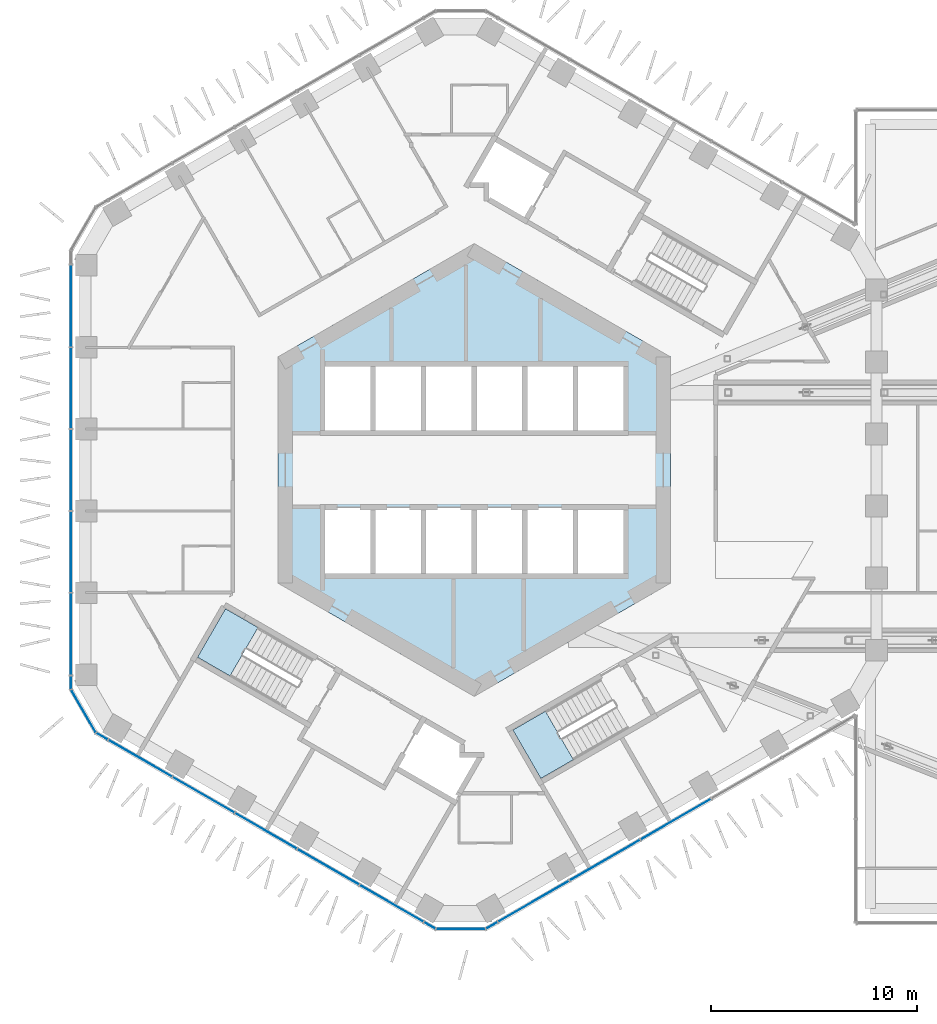
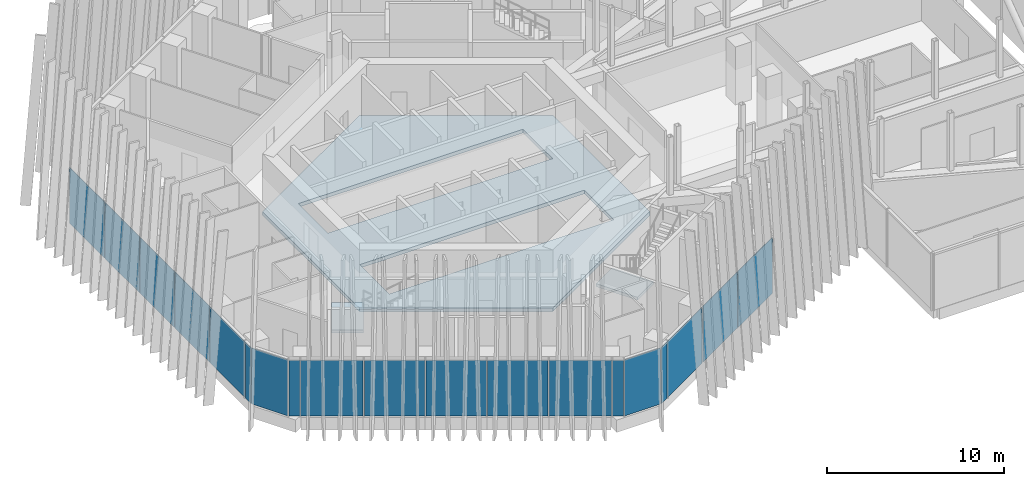
# One storey, part 13 of 28: 19 plates, 3 slabs, 7 elements without a shape of their own.
"""IFC4 building model written with IfcOpenShell, lengths in metres."""

from ifc_helpers import new_model, si_unit, direction, frame, origin, origin_2d, place, context, subcontext, project, spatial, polyline, rectangle, outline, extrude, material, layer, layer_set, type_object, element, aggregate, save


model = new_model("IFC4")

# Units and contexts
model_context = context("Model", 3, precision=1e-05, world=origin(), true_north=direction((0.0, 1.0)))
body_context = subcontext(model_context, "Body", "Model", "MODEL_VIEW")
ifc_project = project(units=[si_unit("LENGTHUNIT", "METRE"), si_unit("AREAUNIT", "SQUARE_METRE"), si_unit("VOLUMEUNIT", "CUBIC_METRE"), si_unit("PLANEANGLEUNIT", "RADIAN"), si_unit("MASSUNIT", "GRAM", prefix="KILO")], contexts=[model_context])

# Site, building, storey
site_placement = place(None, origin())
site = spatial("IfcSite", under=ifc_project, at=site_placement, CompositionType="ELEMENT")
building_placement = place(site_placement, origin())
building = spatial("IfcBuilding", under=site, at=building_placement, Name="Ayvan Gate Tower", CompositionType="ELEMENT")
storey_placement = place(building_placement, frame((0.0, 0.0, 120.5)))
storey = spatial("IfcBuildingStorey", under=building, at=storey_placement, Name="L32", CompositionType="ELEMENT", Elevation=120.5)

# Slab
ifc_material_1 = material(Name="Concrete C40/50", Category="concrete")
ifc_layer_1 = layer(ifc_material_1, 0.25)
ifc_layer_set_1 = layer_set([ifc_layer_1], Name="Concrete C40/50")
slab_type_1 = type_object("IfcSlabType", Name="SL-CORE-250", PredefinedType="FLOOR", material=ifc_layer_set_1)
slab_1_placement = place(storey_placement, frame((0.0, 0.0, -0.25)))
element("IfcSlab", 1, at=slab_1_placement, inside=storey, type_object=slab_type_1, Name="CS-L32", PredefinedType="FLOOR", context=body_context, shape_type="SweptSolid", body=[
    extrude(outline(polyline([(9.5, -5.48486328125), (0.0, -10.9697265625), (-9.5, -5.48486328125), (-9.5, 5.48486328125), (0.0, 10.9697265625), (9.5, 5.48486328125), (9.5, -5.48486328125)]), holes=[polyline([(-7.35009765625, -1.800048828125), (-7.35009765625, -5.14990234375), (7.35009765625, -5.14990234375), (7.35009765625, -1.800048828125), (-7.35009765625, -1.800048828125)]), polyline([(-7.35009765625, 5.14990234375), (-7.35009765625, 1.800048828125), (7.35009765625, 1.800048828125), (7.35009765625, 5.14990234375), (-7.35009765625, 5.14990234375)])]), origin(), (0.0, 0.0, 1.0), 0.25),
])

# Stair, slab
stair_type = type_object("IfcStairType", Name="ST-EXIT", PredefinedType="HALF_TURN_STAIR", material=ifc_material_1)
stair_1_placement = place(storey_placement, origin())
stair_1 = element("IfcStair", 2, at=stair_1_placement, inside=storey, type_object=stair_type, Name="L32 Exit Stair S2", PredefinedType="HALF_TURN_STAIR")
ifc_layer_2 = layer(ifc_material_1, 0.199951171875)
ifc_layer_set_2 = layer_set([ifc_layer_2], Name="Concrete C40/50")
slab_type_2 = type_object("IfcSlabType", Name="SL-LANDING-200", PredefinedType="LANDING", material=ifc_layer_set_2)
slab_2_placement = place(storey_placement, frame((0.0, 0.0, 1.800048828125)))
slab_2 = element("IfcSlab", 3, at=slab_2_placement, type_object=slab_type_2, Name="STS2 landing 1", PredefinedType="LANDING", context=body_context, shape_type="SweptSolid", body=[
    extrude(outline(polyline([(-10.473388671875, -7.630615234375), (-12.049560546875, -6.720458984375), (-13.404541015625, -9.0673828125), (-11.828369140625, -9.9775390625), (-10.473388671875, -7.630615234375)])), origin(), (0.0, 0.0, 1.0), 0.199951171875),
])
aggregate(stair_1, [slab_2])

stair_2_placement = place(storey_placement, origin())
stair_2 = element("IfcStair", 4, at=stair_2_placement, inside=storey, type_object=stair_type, Name="L32 Exit Stair S3", PredefinedType="HALF_TURN_STAIR")
slab_3_placement = place(storey_placement, frame((0.0, 0.0, 1.800048828125)))
slab_3 = element("IfcSlab", 5, at=slab_3_placement, type_object=slab_type_2, Name="STS3 landing 1", PredefinedType="LANDING", context=body_context, shape_type="SweptSolid", body=[
    extrude(outline(polyline([(3.449951171875, -11.685546875), (1.873779296875, -12.595458984375), (3.228759765625, -14.9423828125), (4.804931640625, -14.032470703125), (3.449951171875, -11.685546875)])), origin(), (0.0, 0.0, 1.0), 0.199951171875),
])
aggregate(stair_2, [slab_3])

# Curtain wall, plates
ifc_material_2 = material(Name="Bronze anodised aluminium", Category="aluminium")
ifc_layer_3 = layer(ifc_material_2, 0.199951171875)
ifc_layer_set_3 = layer_set([ifc_layer_3], Name="Bronze anodised aluminium")
curtain_wall_type_1 = type_object("IfcCurtainWallType", Name="Stick curtain wall CW-1", PredefinedType="NOTDEFINED", material=ifc_layer_set_3)
curtain_wall_1_placement = place(storey_placement, origin())
curtain_wall_1 = element("IfcCurtainWall", 6, at=curtain_wall_1_placement, inside=storey, type_object=curtain_wall_type_1, Name="Stick curtain wall CW-1 L32", PredefinedType="NOTDEFINED")
ifc_material_3 = material(Name="Clear low-iron laminated glass", Category="glass")
ifc_layer_4 = layer(ifc_material_3, 0.028076171875)
ifc_layer_set_4 = layer_set([ifc_layer_4], Name="Clear low-iron laminated glass")
plate_type_1 = type_object("IfcPlateType", Name="Stick curtain wall CW-1 glass panel", PredefinedType="CURTAIN_PANEL", material=ifc_layer_set_4)
plate_1_placement = place(storey_placement, frame((-19.53271484375, 7.968017578125, 0.0), z_axis=(0.0, 0.0, 1.0), x_axis=(0.0, -1.0, 0.0)))
plate_1 = element("IfcPlate", 7, at=plate_1_placement, type_object=plate_type_1, Name="CW-1 glass panel 1", PredefinedType="CURTAIN_PANEL", context=body_context, shape_type="SweptSolid", body=[
    extrude(rectangle(XDim=3.97802734375, YDim=0.028076171875, at=origin_2d()), origin(), (0.0, 0.0, 1.0), 3.8798828125),
])
plate_2_placement = place(storey_placement, frame((-19.53271484375, 3.966064453125, 0.0), z_axis=(0.0, 0.0, 1.0), x_axis=(0.0, -1.0, 0.0)))
plate_2 = element("IfcPlate", 8, at=plate_2_placement, type_object=plate_type_1, Name="CW-1 glass panel 2", PredefinedType="CURTAIN_PANEL", context=body_context, shape_type="SweptSolid", body=[
    extrude(rectangle(XDim=3.906005859375, YDim=0.028076171875, at=origin_2d()), origin(), (0.0, 0.0, 1.0), 3.8798828125),
])
plate_3_placement = place(storey_placement, frame((-19.53271484375, 0.0, 0.0), z_axis=(0.0, 0.0, 1.0), x_axis=(0.0, -1.0, 0.0)))
plate_3 = element("IfcPlate", 9, at=plate_3_placement, type_object=plate_type_1, Name="CW-1 glass panel 3", PredefinedType="CURTAIN_PANEL", context=body_context, shape_type="SweptSolid", body=[
    extrude(rectangle(XDim=3.906005859375, YDim=0.028076171875, at=origin_2d()), origin(), (0.0, 0.0, 1.0), 3.8798828125),
])
plate_4_placement = place(storey_placement, frame((-19.53271484375, -3.966064453125, 0.0), z_axis=(0.0, 0.0, 1.0), x_axis=(0.0, -1.0, 0.0)))
plate_4 = element("IfcPlate", 10, at=plate_4_placement, type_object=plate_type_1, Name="CW-1 glass panel 4", PredefinedType="CURTAIN_PANEL", context=body_context, shape_type="SweptSolid", body=[
    extrude(rectangle(XDim=3.906005859375, YDim=0.028076171875, at=origin_2d()), origin(), (0.0, 0.0, 1.0), 3.8798828125),
])
plate_5_placement = place(storey_placement, frame((-19.53271484375, -7.968017578125, 0.0), z_axis=(0.0, 0.0, 1.0), x_axis=(0.0, -1.0, 0.0)))
plate_5 = element("IfcPlate", 11, at=plate_5_placement, type_object=plate_type_1, Name="CW-1 glass panel 5", PredefinedType="CURTAIN_PANEL", context=body_context, shape_type="SweptSolid", body=[
    extrude(rectangle(XDim=3.97802734375, YDim=0.028076171875, at=origin_2d()), origin(), (0.0, 0.0, 1.0), 3.8798828125),
])
aggregate(curtain_wall_1, [plate_1, plate_2, plate_3, plate_4, plate_5])

curtain_wall_2_placement = place(storey_placement, origin())
curtain_wall_2 = element("IfcCurtainWall", 12, at=curtain_wall_2_placement, inside=storey, type_object=curtain_wall_type_1, Name="Stick curtain wall CW-1 L32", PredefinedType="NOTDEFINED")
plate_6_placement = place(storey_placement, frame((-16.194091796875, -13.95849609375, 0.0), z_axis=(0.0, 0.0, 1.0), x_axis=(0.866025403784, -0.5, 0.0)))
plate_6 = element("IfcPlate", 13, at=plate_6_placement, type_object=plate_type_1, Name="CW-1 glass panel 1", PredefinedType="CURTAIN_PANEL", context=body_context, shape_type="SweptSolid", body=[
    extrude(rectangle(XDim=3.56201171875, YDim=0.028076171875, at=origin_2d()), origin(), (0.0, 0.0, 1.0), 3.8798828125),
])
plate_7_placement = place(storey_placement, frame((-13.114501953125, -15.736572265625, 0.0), z_axis=(0.0, 0.0, 1.0), x_axis=(0.866025403784, -0.5, 0.0)))
plate_7 = element("IfcPlate", 14, at=plate_7_placement, type_object=plate_type_1, Name="CW-1 glass panel 2", PredefinedType="CURTAIN_PANEL", context=body_context, shape_type="SweptSolid", body=[
    extrude(rectangle(XDim=3.429931640625, YDim=0.028076171875, at=origin_2d()), origin(), (0.0, 0.0, 1.0), 3.8798828125),
])
plate_8_placement = place(storey_placement, frame((-10.092529296875, -17.481201171875, 0.0), z_axis=(0.0, 0.0, 1.0), x_axis=(0.866025403784, -0.5, 0.0)))
plate_8 = element("IfcPlate", 15, at=plate_8_placement, type_object=plate_type_1, Name="CW-1 glass panel 3", PredefinedType="CURTAIN_PANEL", context=body_context, shape_type="SweptSolid", body=[
    extrude(rectangle(XDim=3.428955078125, YDim=0.028076171875, at=origin_2d()), origin(), (0.0, 0.0, 1.0), 3.8798828125),
])
plate_9_placement = place(storey_placement, frame((-7.070556640625, -19.22607421875, 0.0), z_axis=(0.0, 0.0, 1.0), x_axis=(0.866025403784, -0.5, 0.0)))
plate_9 = element("IfcPlate", 16, at=plate_9_placement, type_object=plate_type_1, Name="CW-1 glass panel 4", PredefinedType="CURTAIN_PANEL", context=body_context, shape_type="SweptSolid", body=[
    extrude(rectangle(XDim=3.429931640625, YDim=0.028076171875, at=origin_2d()), origin(), (0.0, 0.0, 1.0), 3.8798828125),
])
plate_10_placement = place(storey_placement, frame((-3.9912109375, -21.00390625, 0.0), z_axis=(0.0, 0.0, 1.0), x_axis=(0.866025403784, -0.5, 0.0)))
plate_10 = element("IfcPlate", 17, at=plate_10_placement, type_object=plate_type_1, Name="CW-1 glass panel 5", PredefinedType="CURTAIN_PANEL", context=body_context, shape_type="SweptSolid", body=[
    extrude(rectangle(XDim=3.5615234375, YDim=0.028076171875, at=origin_2d()), origin(), (0.0, 0.0, 1.0), 3.8798828125),
])
aggregate(curtain_wall_2, [plate_6, plate_7, plate_8, plate_9, plate_10])

curtain_wall_3_placement = place(storey_placement, origin())
curtain_wall_3 = element("IfcCurtainWall", 18, at=curtain_wall_3_placement, inside=storey, type_object=curtain_wall_type_1, Name="Stick curtain wall CW-1 L32", PredefinedType="NOTDEFINED")
plate_11_placement = place(storey_placement, frame((2.865966796875, -20.89990234375, 0.0), z_axis=(0.0, 0.0, 1.0), x_axis=(0.866025403784, 0.5, 0.0)))
plate_11 = element("IfcPlate", 19, at=plate_11_placement, type_object=plate_type_1, Name="CW-1 glass panel 1", PredefinedType="CURTAIN_PANEL", context=body_context, shape_type="SweptSolid", body=[
    extrude(rectangle(XDim=3.97802734375, YDim=0.028076171875, at=origin_2d()), origin(), (0.0, 0.0, 1.0), 3.8798828125),
])
plate_12_placement = place(storey_placement, frame((6.331787109375, -18.89892578125, 0.0), z_axis=(0.0, 0.0, 1.0), x_axis=(0.866025403784, 0.5, 0.0)))
plate_12 = element("IfcPlate", 20, at=plate_12_placement, type_object=plate_type_1, Name="CW-1 glass panel 2", PredefinedType="CURTAIN_PANEL", context=body_context, shape_type="SweptSolid", body=[
    extrude(rectangle(XDim=3.906005859375, YDim=0.028076171875, at=origin_2d()), origin(), (0.0, 0.0, 1.0), 3.8798828125),
])
plate_13_placement = place(storey_placement, frame((9.766357421875, -16.915771484375, 0.0), z_axis=(0.0, 0.0, 1.0), x_axis=(0.866025403784, 0.5, 0.0)))
plate_13 = element("IfcPlate", 21, at=plate_13_placement, type_object=plate_type_1, Name="CW-1 glass panel 3", PredefinedType="CURTAIN_PANEL", context=body_context, shape_type="SweptSolid", body=[
    extrude(rectangle(XDim=3.906005859375, YDim=0.028076171875, at=origin_2d()), origin(), (0.0, 0.0, 1.0), 3.8798828125),
])
aggregate(curtain_wall_3, [plate_11, plate_12, plate_13])

ifc_layer_5 = layer(ifc_material_2, 0.199951171875)
ifc_layer_set_5 = layer_set([ifc_layer_5], Name="Bronze anodised aluminium")
curtain_wall_type_2 = type_object("IfcCurtainWallType", Name="Stick curtain wall CW-6", PredefinedType="NOTDEFINED", material=ifc_layer_set_5)
curtain_wall_4_placement = place(storey_placement, origin())
curtain_wall_4 = element("IfcCurtainWall", 22, at=curtain_wall_4_placement, inside=storey, type_object=curtain_wall_type_2, Name="Stick curtain wall CW-6 L32", PredefinedType="NOTDEFINED")
ifc_layer_6 = layer(ifc_material_3, 0.028076171875)
ifc_layer_set_6 = layer_set([ifc_layer_6], Name="Clear low-iron laminated glass")
plate_type_2 = type_object("IfcPlateType", Name="Stick curtain wall CW-6 glass panel", PredefinedType="CURTAIN_PANEL", material=ifc_layer_set_6)
plate_14_placement = place(storey_placement, frame((-19.53271484375, -10.299560546875, 0.0), z_axis=(0.0, 0.0, 1.0), x_axis=(0.0, -1.0, 0.0)))
plate_14 = element("IfcPlate", 23, at=plate_14_placement, type_object=plate_type_2, Name="CW-6 glass panel 1", PredefinedType="CURTAIN_PANEL", context=body_context, shape_type="SweptSolid", body=[
    extrude(rectangle(XDim=0.625, YDim=0.028076171875, at=origin_2d()), origin(), (0.0, 0.0, 1.0), 3.8798828125),
])
plate_15_placement = place(storey_placement, frame((-18.92919921875, -11.6826171875, 0.0), z_axis=(0.0, 0.0, 1.0), x_axis=(0.5, -0.866025403784, 0.0)))
plate_15 = element("IfcPlate", 24, at=plate_15_placement, type_object=plate_type_2, Name="CW-6 glass panel 2", PredefinedType="CURTAIN_PANEL", context=body_context, shape_type="SweptSolid", body=[
    extrude(rectangle(XDim=2.364501953125, YDim=0.028076171875, at=origin_2d()), origin(), (0.0, 0.0, 1.0), 3.8798828125),
])
plate_16_placement = place(storey_placement, frame((-18.033203125, -12.896728515625, 0.0), z_axis=(0.0, 0.0, 1.0), x_axis=(0.866025403784, -0.5, 0.0)))
plate_16 = element("IfcPlate", 25, at=plate_16_placement, type_object=plate_type_2, Name="CW-6 glass panel 3", PredefinedType="CURTAIN_PANEL", context=body_context, shape_type="SweptSolid", body=[
    extrude(rectangle(XDim=0.625, YDim=0.028076171875, at=origin_2d()), origin(), (0.0, 0.0, 1.0), 3.8798828125),
])
aggregate(curtain_wall_4, [plate_14, plate_15, plate_16])

curtain_wall_5_placement = place(storey_placement, origin())
curtain_wall_5 = element("IfcCurtainWall", 26, at=curtain_wall_5_placement, inside=storey, type_object=curtain_wall_type_2, Name="Stick curtain wall CW-6 L32", PredefinedType="NOTDEFINED")
plate_17_placement = place(storey_placement, frame((-2.15234375, -22.065673828125, 0.0), z_axis=(0.0, 0.0, 1.0), x_axis=(0.866025403784, -0.5, 0.0)))
plate_17 = element("IfcPlate", 27, at=plate_17_placement, type_object=plate_type_2, Name="CW-6 glass panel 1", PredefinedType="CURTAIN_PANEL", context=body_context, shape_type="SweptSolid", body=[
    extrude(rectangle(XDim=0.625, YDim=0.028076171875, at=origin_2d()), origin(), (0.0, 0.0, 1.0), 3.8798828125),
])
plate_18_placement = place(storey_placement, frame((-0.65283203125, -22.234375, 0.0), z_axis=(0.0, 0.0, 1.0), x_axis=(1.0, 0.0, 0.0)))
plate_18 = element("IfcPlate", 28, at=plate_18_placement, type_object=plate_type_2, Name="CW-6 glass panel 2", PredefinedType="CURTAIN_PANEL", context=body_context, shape_type="SweptSolid", body=[
    extrude(rectangle(XDim=2.364501953125, YDim=0.028076171875, at=origin_2d()), origin(), (0.0, 0.0, 1.0), 3.8798828125),
])
plate_19_placement = place(storey_placement, frame((0.8466796875, -22.065673828125, 0.0), z_axis=(0.0, 0.0, 1.0), x_axis=(0.866025403784, 0.5, 0.0)))
plate_19 = element("IfcPlate", 29, at=plate_19_placement, type_object=plate_type_2, Name="CW-6 glass panel 3", PredefinedType="CURTAIN_PANEL", context=body_context, shape_type="SweptSolid", body=[
    extrude(rectangle(XDim=0.625, YDim=0.028076171875, at=origin_2d()), origin(), (0.0, 0.0, 1.0), 3.8798828125),
])
aggregate(curtain_wall_5, [plate_17, plate_18, plate_19])

save(model, "model.ifc")
